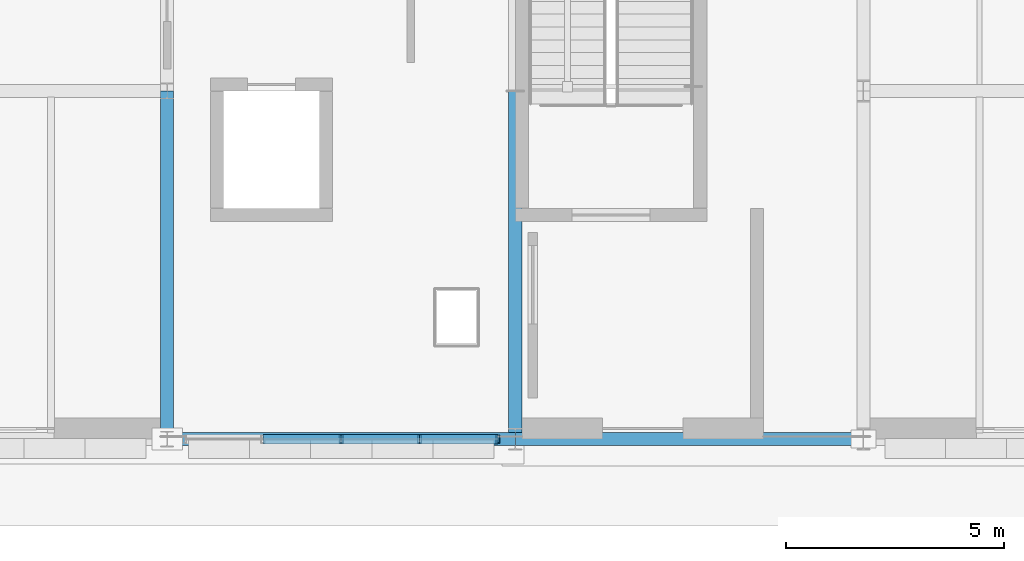
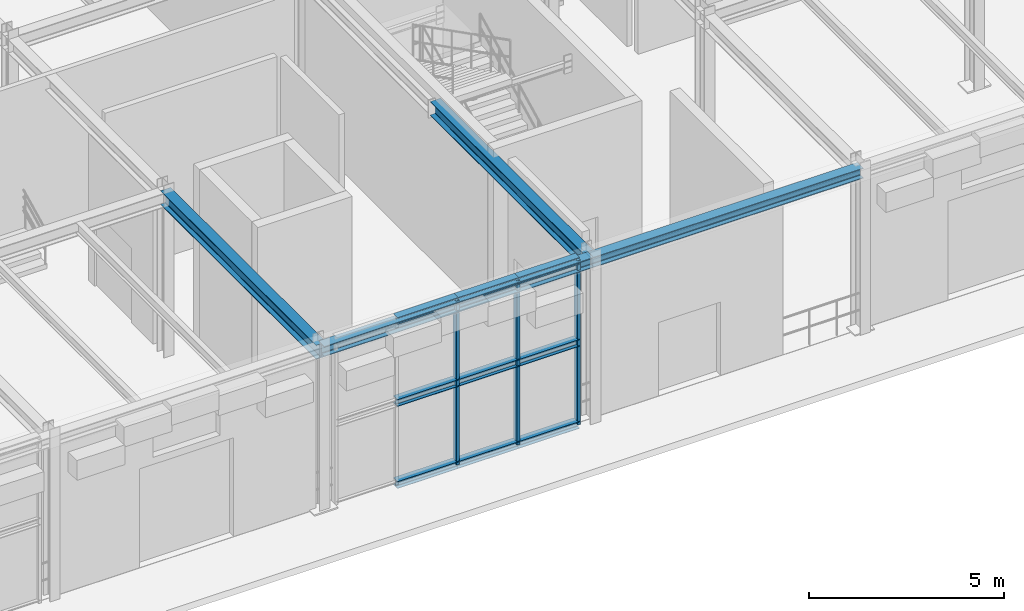
# One storey, part 29 of 129: 12 members, 4 beams, 1 element without a shape of its own.
"""IFC4 building model written with IfcOpenShell, lengths in metres."""

from ifc_helpers import new_model, si_unit, direction, frame, origin, origin_2d, place, context, subcontext, project, spatial, hollow_rectangle, i_section, extrude, material, material_profile, profile_set, type_object, element, aggregate, save


model = new_model("IFC4")

# Units and contexts
model_context = context("Model", 3, precision=1e-05, world=origin(), true_north=direction((0.0, 1.0)))
body_context = subcontext(model_context, "Body", "Model", "MODEL_VIEW")
ifc_project = project(units=[si_unit("LENGTHUNIT", "METRE"), si_unit("AREAUNIT", "SQUARE_METRE"), si_unit("VOLUMEUNIT", "CUBIC_METRE"), si_unit("PLANEANGLEUNIT", "RADIAN"), si_unit("MASSUNIT", "GRAM", prefix="KILO")], contexts=[model_context])

# Site, building, storey
site_placement = place(None, origin())
site = spatial("IfcSite", under=ifc_project, at=site_placement, CompositionType="ELEMENT")
building_placement = place(site_placement, origin())
building = spatial("IfcBuilding", under=site, at=building_placement, Name="Sundkrona Museum", CompositionType="ELEMENT")
storey_placement = place(building_placement, origin())
storey = spatial("IfcBuildingStorey", under=building, at=storey_placement, Name="L00", CompositionType="ELEMENT", Elevation=0.0)

# Beams
ifc_material_1 = material(Name="Steel S355J2", Category="steel")
ifc_material_profile_1 = material_profile(ifc_material_1, i_section(OverallWidth=0.300048828125, OverallDepth=0.43994140625, WebThickness=0.011474609375, FlangeThickness=0.02099609375, FilletRadius=0.027099609375, at=origin_2d()), Name="HEA 450")
ifc_profile_set_1 = profile_set([ifc_material_profile_1], Name="Steel S355J2")
beam_type_1 = type_object("IfcBeamType", Name="B-HEA450", PredefinedType="BEAM", material=ifc_profile_set_1)
for number, where, z_axis, x_axis, name in (
    (1, (112.0, 0.0, 4.919921875), (0.0, 1.0, 0.0), (-1.0, 0.0, 0.0), "L00 Girder Y-0716"),
    (2, (120.0, 0.0, 4.919921875), (0.0, 1.0, 0.0), (-1.0, 0.0, 0.0), "L00 Girder Y-0726"),
):
    element("IfcBeam", number, at=place(storey_placement, frame(where, z_axis=z_axis, x_axis=x_axis)), inside=storey, type_object=beam_type_1, Name=name, PredefinedType="BEAM", context=body_context, shape_type="SweptSolid", body=[
        extrude(i_section(OverallWidth=0.300048828125, OverallDepth=0.43994140625, WebThickness=0.011474609375, FlangeThickness=0.02099609375, FilletRadius=0.027099609375, at=origin_2d()), origin(), (0.0, 0.0, 1.0), 8.0),
    ])

# Curtain wall, members
ifc_material_2 = material(Name="Unitised Aluminium-Steel and Ceramic-Clad Curtain Walling", Category="steel")
curtain_wall_type = type_object("IfcCurtainWallType", Name="CW-AT-72x50", PredefinedType="NOTDEFINED", material=ifc_material_2)
curtain_wall_placement = place(storey_placement, origin())
curtain_wall = element("IfcCurtainWall", 3, at=curtain_wall_placement, inside=storey, type_object=curtain_wall_type, Name="L00 Curtain Wall CW-L00-019", PredefinedType="NOTDEFINED")
ifc_material_3 = material(Name="Aluminium EN AW-6060 T66", Category="aluminium")
ifc_material_profile_2 = material_profile(ifc_material_3, hollow_rectangle(XDim=0.090087890625, YDim=0.179931640625, WallThickness=0.00634765625, at=origin_2d()), Name="RHS 180x90x6.3")
ifc_profile_set_2 = profile_set([ifc_material_profile_2], Name="Aluminium EN AW-6060 T66")
member_type_1 = type_object("IfcMemberType", Name="ML-180", PredefinedType="MULLION", material=ifc_profile_set_2)
member_1_placement = place(storey_placement, frame((116.0, 0.0, -0.00390625), z_axis=(0.0, 0.0, 1.0), x_axis=(1.0, 0.0, 0.0)))
member_1 = element("IfcMember", 4, at=member_1_placement, type_object=member_type_1, Name="CW-L00-019 Mullion 03", PredefinedType="MULLION", context=body_context, shape_type="SweptSolid", body=[
    extrude(hollow_rectangle(XDim=0.090087890625, YDim=0.179931640625, WallThickness=0.00634765625, at=origin_2d()), origin(), (0.0, 0.0, 1.0), 5.14794921875),
])
member_2_placement = place(storey_placement, frame((117.800048828125, 0.0, -0.00390625), z_axis=(0.0, 0.0, 1.0), x_axis=(1.0, 0.0, 0.0)))
member_2 = element("IfcMember", 5, at=member_2_placement, type_object=member_type_1, Name="CW-L00-019 Mullion 04", PredefinedType="MULLION", context=body_context, shape_type="SweptSolid", body=[
    extrude(hollow_rectangle(XDim=0.090087890625, YDim=0.179931640625, WallThickness=0.00634765625, at=origin_2d()), origin(), (0.0, 0.0, 1.0), 5.14794921875),
])
member_3_placement = place(storey_placement, frame((119.60009765625, 0.0, -0.00390625), z_axis=(0.0, 0.0, 1.0), x_axis=(1.0, 0.0, 0.0)))
member_3 = element("IfcMember", 6, at=member_3_placement, type_object=member_type_1, Name="CW-L00-019 Mullion 05", PredefinedType="MULLION", context=body_context, shape_type="SweptSolid", body=[
    extrude(hollow_rectangle(XDim=0.090087890625, YDim=0.179931640625, WallThickness=0.00634765625, at=origin_2d()), origin(), (0.0, 0.0, 1.0), 5.14794921875),
])

# Beams
ifc_material_profile_3 = material_profile(ifc_material_1, i_section(OverallWidth=0.300048828125, OverallDepth=0.320068359375, WebThickness=0.011474609375, FlangeThickness=0.0205078125, FilletRadius=0.027099609375, at=origin_2d()), Name="HEB 320")
ifc_profile_set_3 = profile_set([ifc_material_profile_3], Name="Steel S355J2")
beam_type_2 = type_object("IfcBeamType", Name="SP-HEB320", PredefinedType="SPANDREL", material=ifc_profile_set_3)
for number, where, z_axis, x_axis, name in (
    (7, (112.0, 0.0, 4.97998046875), (1.0, 0.0, 0.0), (0.0, 1.0, 0.0), "L00 Girder X-0427"),
    (8, (120.0, 0.0, 4.97998046875), (1.0, 0.0, 0.0), (0.0, 1.0, 0.0), "L00 Girder X-0428"),
):
    element("IfcBeam", number, at=place(storey_placement, frame(where, z_axis=z_axis, x_axis=x_axis)), inside=storey, type_object=beam_type_2, Name=name, PredefinedType="SPANDREL", context=body_context, shape_type="SweptSolid", body=[
        extrude(i_section(OverallWidth=0.300048828125, OverallDepth=0.320068359375, WebThickness=0.011474609375, FlangeThickness=0.0205078125, FilletRadius=0.027099609375, at=origin_2d()), origin(), (0.0, 0.0, 1.0), 8.0),
    ])

# Member
ifc_material_profile_4 = material_profile(ifc_material_1, i_section(OverallWidth=0.219970703125, OverallDepth=0.219970703125, WebThickness=0.009521484375, FlangeThickness=0.01611328125, FilletRadius=0.01806640625, at=origin_2d()), Name="HEB 220")
ifc_profile_set_4 = profile_set([ifc_material_profile_4], Name="Steel S355J2")
member_type_2 = type_object("IfcMemberType", Name="TR-HEB220", PredefinedType="USERDEFINED", material=ifc_profile_set_4)
member_4_placement = place(storey_placement, frame((114.199951171875, 0.0, -0.00390625), z_axis=(1.0, 0.0, 0.0), x_axis=(0.0, 1.0, 0.0)))
member_4 = element("IfcMember", 9, at=member_4_placement, type_object=member_type_2, Name="CW-L00-019 Transom 04", ObjectType="TRANSOM", PredefinedType="USERDEFINED", context=body_context, shape_type="SweptSolid", body=[
    extrude(i_section(OverallWidth=0.219970703125, OverallDepth=0.219970703125, WebThickness=0.009521484375, FlangeThickness=0.01611328125, FilletRadius=0.01806640625, at=origin_2d()), origin(), (0.0, 0.0, 1.0), 1.800048828125),
])

member_5_placement = place(storey_placement, frame((114.199951171875, 0.0, 2.570068359375), z_axis=(1.0, 0.0, 0.0), x_axis=(0.0, 1.0, 0.0)))
member_5 = element("IfcMember", 10, at=member_5_placement, type_object=member_type_2, Name="CW-L00-019 Transom 05", ObjectType="TRANSOM", PredefinedType="USERDEFINED", context=body_context, shape_type="SweptSolid", body=[
    extrude(i_section(OverallWidth=0.219970703125, OverallDepth=0.219970703125, WebThickness=0.009521484375, FlangeThickness=0.01611328125, FilletRadius=0.01806640625, at=origin_2d()), origin(), (0.0, 0.0, 1.0), 1.800048828125),
])

member_6_placement = place(storey_placement, frame((114.199951171875, 0.0, 5.14404296875), z_axis=(1.0, 0.0, 0.0), x_axis=(0.0, 1.0, 0.0)))
member_6 = element("IfcMember", 11, at=member_6_placement, type_object=member_type_2, Name="CW-L00-019 Transom 06", ObjectType="TRANSOM", PredefinedType="USERDEFINED", context=body_context, shape_type="SweptSolid", body=[
    extrude(i_section(OverallWidth=0.219970703125, OverallDepth=0.219970703125, WebThickness=0.009521484375, FlangeThickness=0.01611328125, FilletRadius=0.01806640625, at=origin_2d()), origin(), (0.0, 0.0, 1.0), 1.800048828125),
])

member_7_placement = place(storey_placement, frame((116.0, 0.0, -0.00390625), z_axis=(1.0, 0.0, 0.0), x_axis=(0.0, 1.0, 0.0)))
member_7 = element("IfcMember", 12, at=member_7_placement, type_object=member_type_2, Name="CW-L00-019 Transom 07", ObjectType="TRANSOM", PredefinedType="USERDEFINED", context=body_context, shape_type="SweptSolid", body=[
    extrude(i_section(OverallWidth=0.219970703125, OverallDepth=0.219970703125, WebThickness=0.009521484375, FlangeThickness=0.01611328125, FilletRadius=0.01806640625, at=origin_2d()), origin(), (0.0, 0.0, 1.0), 1.800048828125),
])

member_8_placement = place(storey_placement, frame((116.0, 0.0, 2.570068359375), z_axis=(1.0, 0.0, 0.0), x_axis=(0.0, 1.0, 0.0)))
member_8 = element("IfcMember", 13, at=member_8_placement, type_object=member_type_2, Name="CW-L00-019 Transom 08", ObjectType="TRANSOM", PredefinedType="USERDEFINED", context=body_context, shape_type="SweptSolid", body=[
    extrude(i_section(OverallWidth=0.219970703125, OverallDepth=0.219970703125, WebThickness=0.009521484375, FlangeThickness=0.01611328125, FilletRadius=0.01806640625, at=origin_2d()), origin(), (0.0, 0.0, 1.0), 1.800048828125),
])

member_9_placement = place(storey_placement, frame((116.0, 0.0, 5.14404296875), z_axis=(1.0, 0.0, 0.0), x_axis=(0.0, 1.0, 0.0)))
member_9 = element("IfcMember", 14, at=member_9_placement, type_object=member_type_2, Name="CW-L00-019 Transom 09", ObjectType="TRANSOM", PredefinedType="USERDEFINED", context=body_context, shape_type="SweptSolid", body=[
    extrude(i_section(OverallWidth=0.219970703125, OverallDepth=0.219970703125, WebThickness=0.009521484375, FlangeThickness=0.01611328125, FilletRadius=0.01806640625, at=origin_2d()), origin(), (0.0, 0.0, 1.0), 1.800048828125),
])

member_10_placement = place(storey_placement, frame((117.800048828125, 0.0, -0.00390625), z_axis=(1.0, 0.0, 0.0), x_axis=(0.0, 1.0, 0.0)))
member_10 = element("IfcMember", 15, at=member_10_placement, type_object=member_type_2, Name="CW-L00-019 Transom 10", ObjectType="TRANSOM", PredefinedType="USERDEFINED", context=body_context, shape_type="SweptSolid", body=[
    extrude(i_section(OverallWidth=0.219970703125, OverallDepth=0.219970703125, WebThickness=0.009521484375, FlangeThickness=0.01611328125, FilletRadius=0.01806640625, at=origin_2d()), origin(), (0.0, 0.0, 1.0), 1.800048828125),
])

member_11_placement = place(storey_placement, frame((117.800048828125, 0.0, 2.570068359375), z_axis=(1.0, 0.0, 0.0), x_axis=(0.0, 1.0, 0.0)))
member_11 = element("IfcMember", 16, at=member_11_placement, type_object=member_type_2, Name="CW-L00-019 Transom 11", ObjectType="TRANSOM", PredefinedType="USERDEFINED", context=body_context, shape_type="SweptSolid", body=[
    extrude(i_section(OverallWidth=0.219970703125, OverallDepth=0.219970703125, WebThickness=0.009521484375, FlangeThickness=0.01611328125, FilletRadius=0.01806640625, at=origin_2d()), origin(), (0.0, 0.0, 1.0), 1.800048828125),
])

member_12_placement = place(storey_placement, frame((117.800048828125, 0.0, 5.14404296875), z_axis=(1.0, 0.0, 0.0), x_axis=(0.0, 1.0, 0.0)))
member_12 = element("IfcMember", 17, at=member_12_placement, type_object=member_type_2, Name="CW-L00-019 Transom 12", ObjectType="TRANSOM", PredefinedType="USERDEFINED", context=body_context, shape_type="SweptSolid", body=[
    extrude(i_section(OverallWidth=0.219970703125, OverallDepth=0.219970703125, WebThickness=0.009521484375, FlangeThickness=0.01611328125, FilletRadius=0.01806640625, at=origin_2d()), origin(), (0.0, 0.0, 1.0), 1.800048828125),
])

aggregate(curtain_wall, [member_1, member_2, member_3, member_4, member_5, member_6, member_7, member_8, member_9, member_10, member_11, member_12])

save(model, "model.ifc")
